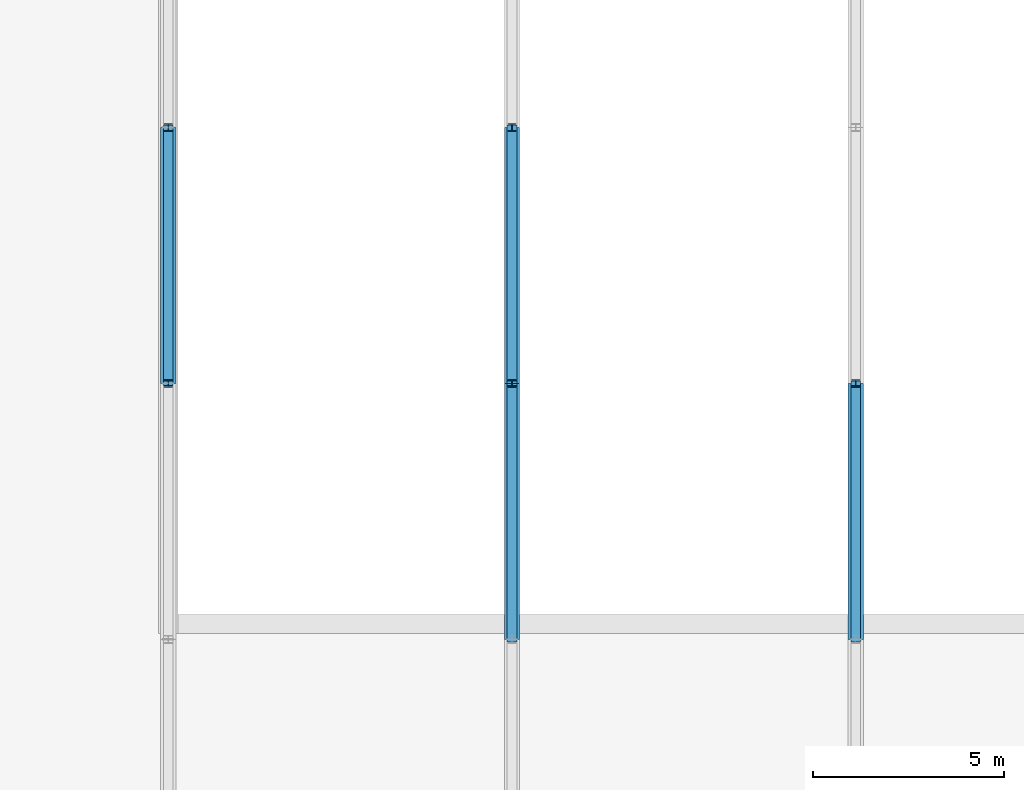
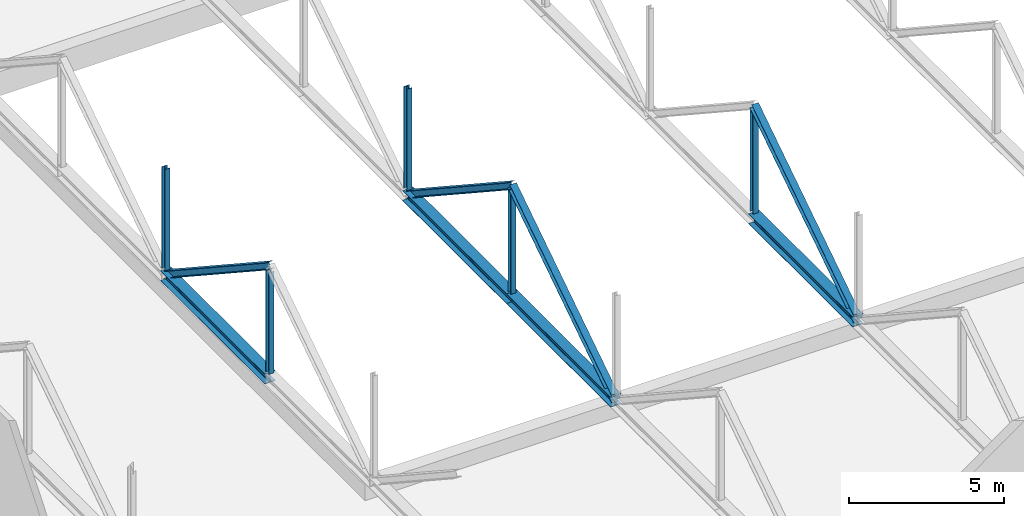
# One storey, part 11 of 49: 13 members.
"""IFC4 building model written with IfcOpenShell, lengths in metres."""

from ifc_helpers import new_model, si_unit, direction, frame, origin, origin_2d, place, context, subcontext, project, spatial, i_section, extrude, material, material_profile, profile_set, type_object, element, save


model = new_model("IFC4")

# Units and contexts
model_context = context("Model", 3, precision=1e-05, world=origin(), true_north=direction((0.0, 1.0)))
body_context = subcontext(model_context, "Body", "Model", "MODEL_VIEW")
ifc_project = project(units=[si_unit("LENGTHUNIT", "METRE"), si_unit("AREAUNIT", "SQUARE_METRE"), si_unit("VOLUMEUNIT", "CUBIC_METRE"), si_unit("PLANEANGLEUNIT", "RADIAN"), si_unit("MASSUNIT", "GRAM", prefix="KILO")], contexts=[model_context])

# Site, building, storey
site_placement = place(None, origin())
site = spatial("IfcSite", under=ifc_project, at=site_placement, CompositionType="ELEMENT")
building_placement = place(site_placement, origin())
building = spatial("IfcBuilding", under=site, at=building_placement, Name="Hunhe Ridgeline Campus", CompositionType="ELEMENT")
storey_placement = place(building_placement, frame((0.0, 0.0, 21.60009765625)))
storey = spatial("IfcBuildingStorey", under=building, at=storey_placement, Name="L04", CompositionType="ELEMENT", Elevation=21.60009765625)

# Members
ifc_material = material(Name="Steel Q355", Category="steel")
ifc_material_profile_1 = material_profile(ifc_material, i_section(OverallWidth=0.39990234375, OverallDepth=0.39990234375, WebThickness=0.012939453125, FlangeThickness=0.02099609375, FilletRadius=0.02197265625, at=origin_2d()))
ifc_profile_set_1 = profile_set([ifc_material_profile_1], Name="Steel Q355")
member_type_1 = type_object("IfcMemberType", Name="Roof truss chord HW400x400x13x21 Q355", PredefinedType="CHORD", material=ifc_profile_set_1)
for number, where, z_axis, x_axis, name in (
    (1, (162.0, 42.800048828125, 0.789794921875), (0.0, 1.0, 0.0), (-1.0, 0.0, 0.0), "Roof truss 2 bottom chord 4"),
    (2, (171.0, 36.10009765625, 0.789794921875), (0.0, 1.0, 0.0), (-1.0, 0.0, 0.0), "Roof truss 3 bottom chord 3"),
    (3, (171.0, 42.800048828125, 0.789794921875), (0.0, 1.0, 0.0), (-1.0, 0.0, 0.0), "Roof truss 3 bottom chord 4"),
    (4, (180.0, 36.10009765625, 0.789794921875), (0.0, 1.0, 0.0), (-1.0, 0.0, 0.0), "Roof truss 4 bottom chord 3"),
):
    element("IfcMember", number, at=place(storey_placement, frame(where, z_axis=z_axis, x_axis=x_axis)), inside=storey, type_object=member_type_1, Name=name, PredefinedType="CHORD", context=body_context, shape_type="SweptSolid", body=[
        extrude(i_section(OverallWidth=0.39990234375, OverallDepth=0.39990234375, WebThickness=0.012939453125, FlangeThickness=0.02099609375, FilletRadius=0.02197265625, at=origin_2d()), origin(), (0.0, 0.0, 1.0), 6.699951171875),
    ])
ifc_material_profile_2 = material_profile(ifc_material, i_section(OverallWidth=0.25, OverallDepth=0.25, WebThickness=0.009033203125, FlangeThickness=0.013916015625, FilletRadius=0.012939453125, at=origin_2d()))
ifc_profile_set_2 = profile_set([ifc_material_profile_2], Name="Steel Q355")
member_type_2 = type_object("IfcMemberType", Name="Roof truss diagonal HW250x250x9x14 Q355", PredefinedType="BRACE", material=ifc_profile_set_2)
for number, where, z_axis, x_axis, name in (
    (5, (162.0, 42.800048828125, 5.18994140625), (0.0, 0.835858813721, -0.548944481277), (-1.0, 0.0, 0.0), "Roof truss 2 diagonal 4"),
    (6, (171.0, 36.10009765625, 0.789794921875), (0.0, 0.835858813721, 0.548944481277), (-1.0, 0.0, 0.0), "Roof truss 3 diagonal 3"),
    (7, (171.0, 42.800048828125, 5.18994140625), (0.0, 0.835858813721, -0.548944481277), (-1.0, 0.0, 0.0), "Roof truss 3 diagonal 4"),
    (8, (180.0, 36.10009765625, 0.789794921875), (0.0, 0.835858813721, 0.548944481277), (-1.0, 0.0, 0.0), "Roof truss 4 diagonal 3"),
):
    element("IfcMember", number, at=place(storey_placement, frame(where, z_axis=z_axis, x_axis=x_axis)), inside=storey, type_object=member_type_2, Name=name, PredefinedType="BRACE", context=body_context, shape_type="SweptSolid", body=[
        extrude(i_section(OverallWidth=0.25, OverallDepth=0.25, WebThickness=0.009033203125, FlangeThickness=0.013916015625, FilletRadius=0.012939453125, at=origin_2d()), origin(), (0.0, 0.0, 1.0), 8.015625),
    ])
ifc_material_profile_3 = material_profile(ifc_material, i_section(OverallWidth=0.199951171875, OverallDepth=0.199951171875, WebThickness=0.008056640625, FlangeThickness=0.011962890625, FilletRadius=0.012939453125, at=origin_2d()))
ifc_profile_set_3 = profile_set([ifc_material_profile_3], Name="Steel Q355")
member_type_3 = type_object("IfcMemberType", Name="Roof truss post HW200x200x8x12 Q355", PredefinedType="POST", material=ifc_profile_set_3)
for number, where, z_axis, x_axis, name in (
    (9, (162.0, 42.800048828125, 0.989990234375), (0.0, 0.0, 1.0), (1.0, 0.0, 0.0), "Roof truss 2 post 3"),
    (10, (162.0, 49.5, 0.989990234375), (0.0, 0.0, 1.0), (1.0, 0.0, 0.0), "Roof truss 2 post 4"),
    (11, (171.0, 42.800048828125, 0.989990234375), (0.0, 0.0, 1.0), (1.0, 0.0, 0.0), "Roof truss 3 post 3"),
    (12, (171.0, 49.5, 0.989990234375), (0.0, 0.0, 1.0), (1.0, 0.0, 0.0), "Roof truss 3 post 4"),
    (13, (180.0, 42.800048828125, 0.989990234375), (0.0, 0.0, 1.0), (1.0, 0.0, 0.0), "Roof truss 4 post 3"),
):
    element("IfcMember", number, at=place(storey_placement, frame(where, z_axis=z_axis, x_axis=x_axis)), inside=storey, type_object=member_type_3, Name=name, PredefinedType="POST", context=body_context, shape_type="SweptSolid", body=[
        extrude(i_section(OverallWidth=0.199951171875, OverallDepth=0.199951171875, WebThickness=0.008056640625, FlangeThickness=0.011962890625, FilletRadius=0.012939453125, at=origin_2d()), origin(), (0.0, 0.0, 1.0), 4.0),
    ])

save(model, "model.ifc")
